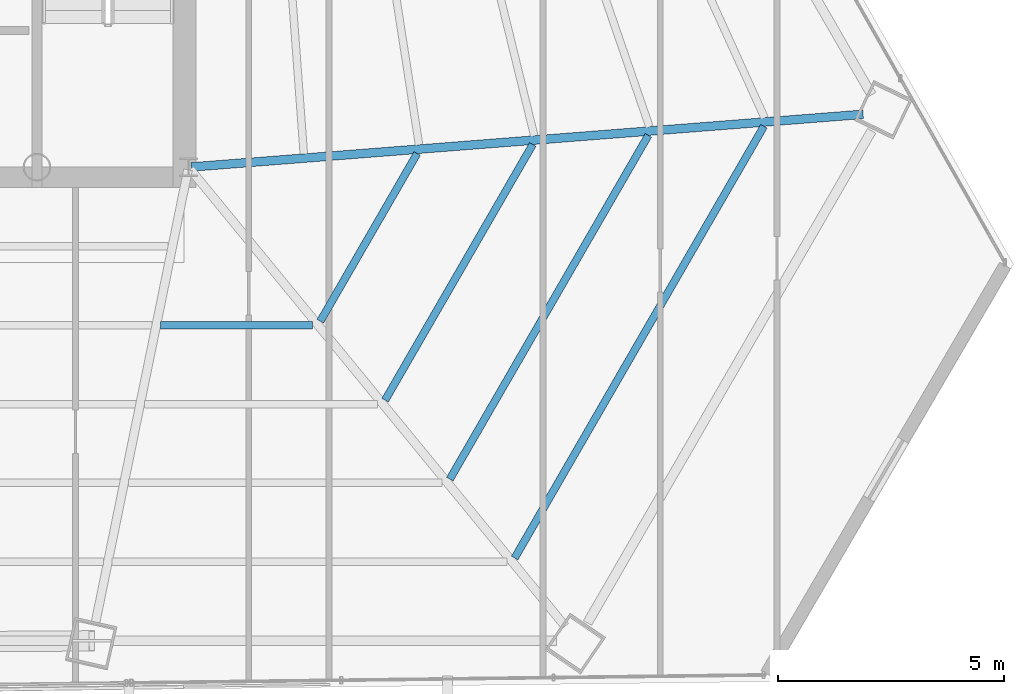
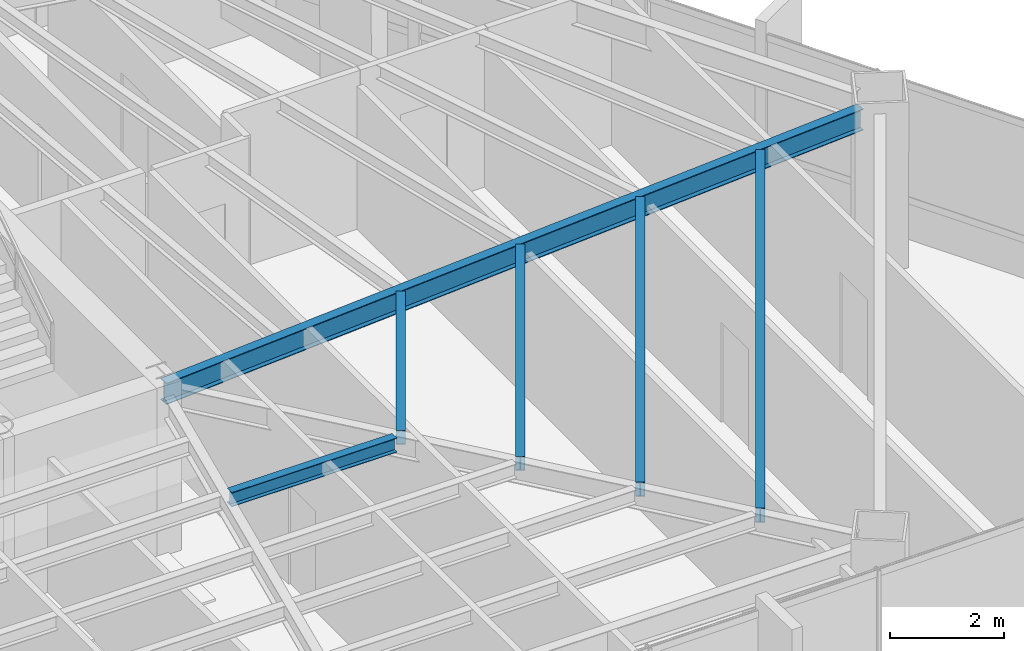
# One storey, part 20 of 42: 6 beams.
"""IFC4 building model written with IfcOpenShell, lengths in metres."""

from ifc_helpers import new_model, si_unit, direction, frame, origin, origin_2d, place, context, subcontext, project, spatial, i_section, extrude, source, transform, mapped, material, material_profile, profile_set, type_object, type_shapes, element, save


model = new_model("IFC4")

# Units and contexts
model_context = context("Model", 3, precision=1e-05, world=origin(), true_north=direction((0.0, 1.0)))
body_context = subcontext(model_context, "Body", "Model", "MODEL_VIEW")
ifc_project = project(units=[si_unit("LENGTHUNIT", "METRE"), si_unit("AREAUNIT", "SQUARE_METRE"), si_unit("VOLUMEUNIT", "CUBIC_METRE"), si_unit("PLANEANGLEUNIT", "RADIAN"), si_unit("MASSUNIT", "GRAM", prefix="KILO")], contexts=[model_context])

# Site, building, storey
site_placement = place(None, origin())
site = spatial("IfcSite", under=ifc_project, at=site_placement, CompositionType="ELEMENT")
building_placement = place(site_placement, origin())
building = spatial("IfcBuilding", under=site, at=building_placement, Name="Caelisora Broadcast Tower", CompositionType="ELEMENT")
storey_placement = place(building_placement, frame((0.0, 0.0, 131.800048828125)))
storey = spatial("IfcBuildingStorey", under=building, at=storey_placement, Name="L34", CompositionType="ELEMENT", Elevation=131.800048828125)

# Beams
ifc_material = material(Name="Steel Grade 350 (AS/NZS 3679.1)", Category="steel")
ifc_material_profile_1 = material_profile(ifc_material, i_section(OverallWidth=0.19091796875, OverallDepth=0.46044921875, WebThickness=0.010009765625, FlangeThickness=0.01611328125, at=origin_2d()), Name="Steel Grade 350 (AS/NZS 3679.1)")
ifc_profile_set_1 = profile_set([ifc_material_profile_1], Name="Steel Grade 350 (AS/NZS 3679.1)")
beam_type_1 = type_object("IfcBeamType", Name="PG06", PredefinedType="BEAM", material=ifc_profile_set_1)
shared_shape_1 = source(origin(), body_context, "Body", "SweptSolid", [
    extrude(i_section(OverallWidth=0.19091796875, OverallDepth=0.46044921875, WebThickness=0.010009765625, FlangeThickness=0.01611328125, at=origin_2d()), origin(), (0.0, 0.0, 1.0), 14.88720703125),
])
type_shapes(beam_type_1, [shared_shape_1])
beam_1_placement = place(storey_placement, frame((45.559814453125, 17.40478515625, 3.169677734375), z_axis=(0.996936999029, 0.078208822825, 0.0), x_axis=(-0.078208822825, 0.996936999029, 0.0)))
element("IfcBeam", 1, at=beam_1_placement, inside=storey, type_object=beam_type_1, Name="L34 beam PG06", PredefinedType="BEAM", context=body_context, shape_type="MappedRepresentation", body=[
    mapped(shared_shape_1, transform((0.0, 0.0, 0.0), scale=1.0)),
])
ifc_material_profile_2 = material_profile(ifc_material, i_section(OverallWidth=0.166015625, OverallDepth=0.30712890625, WebThickness=0.006591796875, FlangeThickness=0.01171875, at=origin_2d()), Name="Steel Grade 350 (AS/NZS 3679.1)")
ifc_profile_set_2 = profile_set([ifc_material_profile_2], Name="Steel Grade 350 (AS/NZS 3679.1)")
beam_type_2 = type_object("IfcBeamType", Name="SB03", PredefinedType="JOIST", material=ifc_profile_set_2)
shared_shape_2 = source(origin(), body_context, "Body", "SweptSolid", [
    extrude(i_section(OverallWidth=0.166015625, OverallDepth=0.30712890625, WebThickness=0.006591796875, FlangeThickness=0.01171875, at=origin_2d()), origin(), (0.0, 0.0, 1.0), 4.2783203125),
])
beam_2_placement = place(storey_placement, frame((48.4111328125, 13.997802734375, 3.246337890625), z_axis=(0.500005662921, 0.866022134271, 0.0), x_axis=(-0.866022134271, 0.500005662921, 0.0)))
element("IfcBeam", 2, at=beam_2_placement, inside=storey, type_object=beam_type_2, Name="L34 beam SB03", PredefinedType="JOIST", context=body_context, shape_type="MappedRepresentation", body=[
    mapped(shared_shape_2, transform((0.0, 0.0, 0.0), scale=1.0)),
])
shared_shape_3 = source(origin(), body_context, "Body", "SweptSolid", [
    extrude(i_section(OverallWidth=0.166015625, OverallDepth=0.30712890625, WebThickness=0.006591796875, FlangeThickness=0.01171875, at=origin_2d()), origin(), (0.0, 0.0, 1.0), 6.5234375),
])
beam_3_placement = place(storey_placement, frame((49.841796875, 12.25390625, 3.246337890625), z_axis=(0.500003221507, 0.866023543838, 0.0), x_axis=(-0.866023543838, 0.500003221507, 0.0)))
element("IfcBeam", 3, at=beam_3_placement, inside=storey, type_object=beam_type_2, Name="L34 beam SB03", PredefinedType="JOIST", context=body_context, shape_type="MappedRepresentation", body=[
    mapped(shared_shape_3, transform((0.0, 0.0, 0.0), scale=1.0)),
])
shared_shape_4 = source(origin(), body_context, "Body", "SweptSolid", [
    extrude(i_section(OverallWidth=0.166015625, OverallDepth=0.30712890625, WebThickness=0.006591796875, FlangeThickness=0.01171875, at=origin_2d()), origin(), (0.0, 0.0, 1.0), 8.768310546875),
])
beam_4_placement = place(storey_placement, frame((51.272705078125, 10.510009765625, 3.246337890625), z_axis=(0.500014086895, 0.866017270559, 0.0), x_axis=(-0.866017270559, 0.500014086895, 0.0)))
element("IfcBeam", 4, at=beam_4_placement, inside=storey, type_object=beam_type_2, Name="L34 beam SB03", PredefinedType="JOIST", context=body_context, shape_type="MappedRepresentation", body=[
    mapped(shared_shape_4, transform((0.0, 0.0, 0.0), scale=1.0)),
])
shared_shape_5 = source(origin(), body_context, "Body", "SweptSolid", [
    extrude(i_section(OverallWidth=0.166015625, OverallDepth=0.30712890625, WebThickness=0.006591796875, FlangeThickness=0.01171875, at=origin_2d()), origin(), (0.0, 0.0, 1.0), 11.013427734375),
])
beam_5_placement = place(storey_placement, frame((52.70361328125, 8.765869140625, 3.246337890625), z_axis=(0.499984699181, 0.866034237536, 0.0), x_axis=(-0.866034237536, 0.499984699181, 0.0)))
element("IfcBeam", 5, at=beam_5_placement, inside=storey, type_object=beam_type_2, Name="L34 beam SB03", PredefinedType="JOIST", context=body_context, shape_type="MappedRepresentation", body=[
    mapped(shared_shape_5, transform((0.0, 0.0, 0.0), scale=1.0)),
])
shared_shape_6 = source(origin(), body_context, "Body", "SweptSolid", [
    extrude(i_section(OverallWidth=0.166015625, OverallDepth=0.30712890625, WebThickness=0.006591796875, FlangeThickness=0.01171875, at=origin_2d()), origin(), (0.0, 0.0, 1.0), 3.359619140625),
])
type_shapes(beam_type_2, [shared_shape_2, shared_shape_3, shared_shape_4, shared_shape_5, shared_shape_6])
beam_6_placement = place(storey_placement, frame((44.881591796875, 13.912109375, 3.246337890625), z_axis=(1.0, 0.0, 0.0), x_axis=(0.0, 1.0, 0.0)))
element("IfcBeam", 6, at=beam_6_placement, inside=storey, type_object=beam_type_2, Name="L34 beam SB03", PredefinedType="JOIST", context=body_context, shape_type="MappedRepresentation", body=[
    mapped(shared_shape_6, transform((0.0, 0.0, 0.0), scale=1.0)),
])

save(model, "model.ifc")
